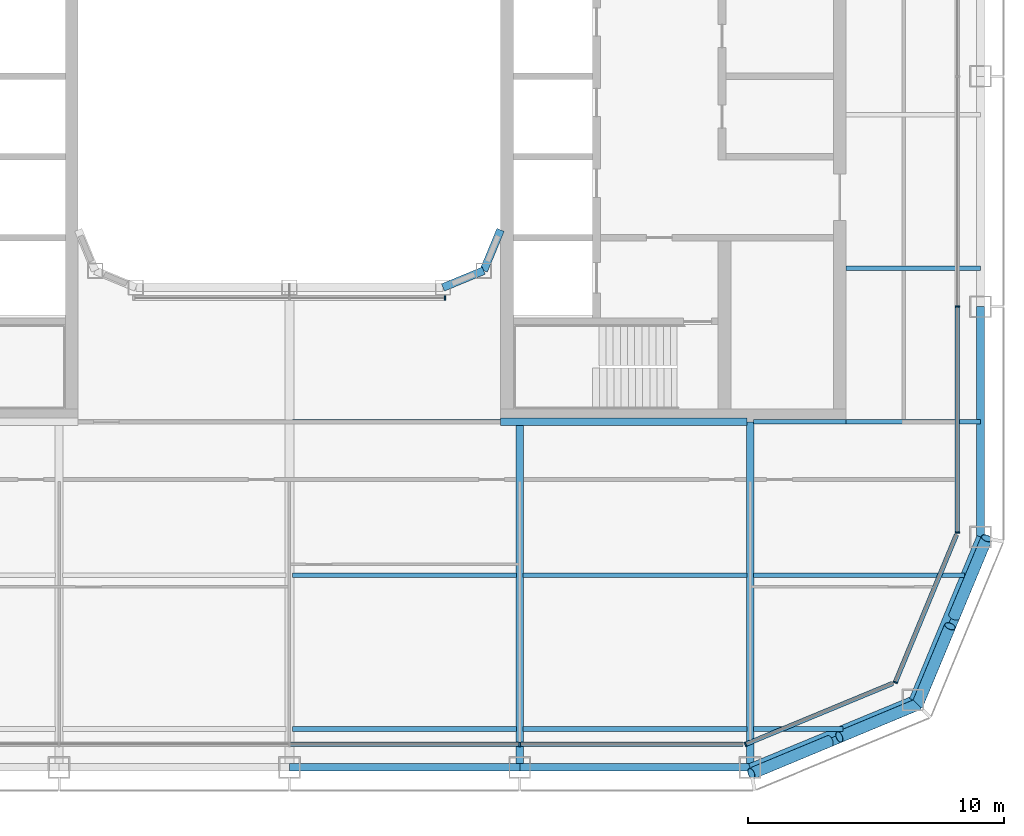
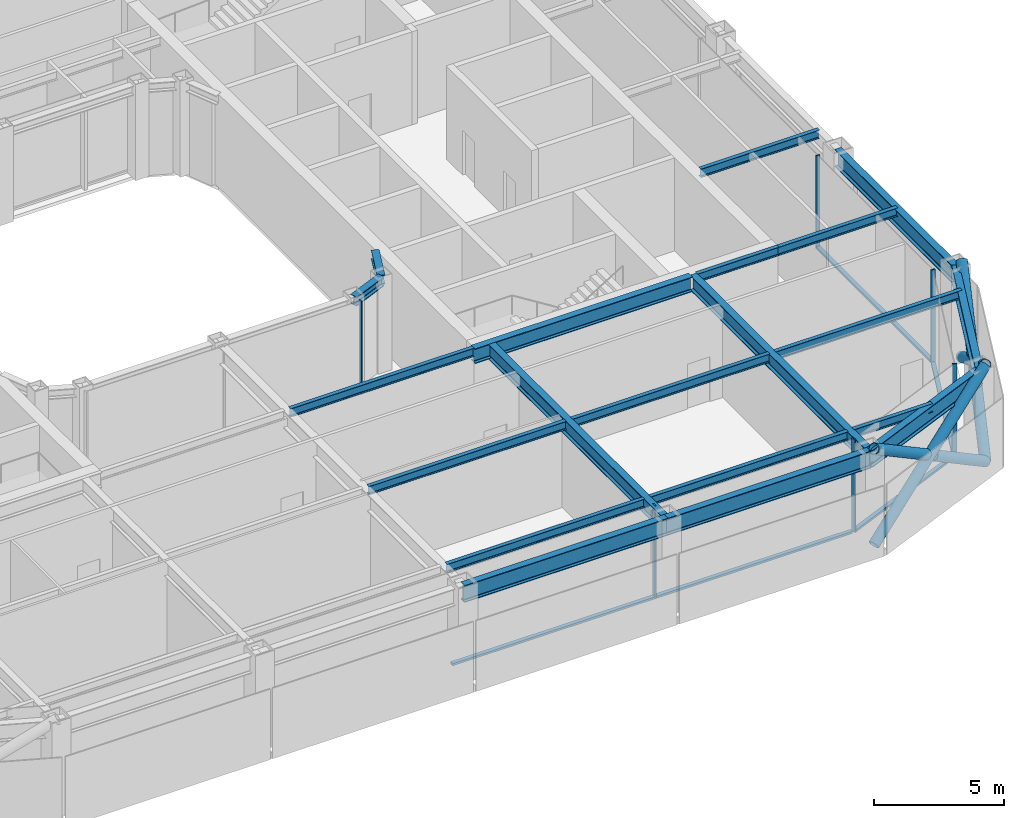
# One storey, part 4 of 19: 20 beams, 17 members, 5 elements without a shape of their own.
"""IFC4 building model written with IfcOpenShell, lengths in metres."""

from ifc_helpers import new_model, si_unit, direction, frame, origin, origin_2d, place, context, subcontext, project, spatial, rectangle, hollow_circle, i_section, extrude, material, layer, layer_set, material_profile, profile_set, type_object, element, aggregate, save


model = new_model("IFC4")

# Units and contexts
model_context = context("Model", 3, precision=1e-05, world=origin(), true_north=direction((0.0, 1.0)))
body_context = subcontext(model_context, "Body", "Model", "MODEL_VIEW")
ifc_project = project(units=[si_unit("LENGTHUNIT", "METRE"), si_unit("AREAUNIT", "SQUARE_METRE"), si_unit("VOLUMEUNIT", "CUBIC_METRE"), si_unit("PLANEANGLEUNIT", "RADIAN"), si_unit("MASSUNIT", "GRAM", prefix="KILO")], contexts=[model_context])

# Site, building, storey
site_placement = place(None, origin())
site = spatial("IfcSite", under=ifc_project, at=site_placement, CompositionType="ELEMENT")
building_placement = place(site_placement, origin())
building = spatial("IfcBuilding", under=site, at=building_placement, Name="Siwar Civic Tower", CompositionType="ELEMENT")
storey_placement = place(building_placement, frame((0.0, 0.0, 228.699951171875)))
storey = spatial("IfcBuildingStorey", under=building, at=storey_placement, Name="L49", CompositionType="ELEMENT", Elevation=228.699951171875)

# Curtain wall, member
ifc_material_1 = material(Name="Aluminium and glass", Category="aluminium")
ifc_layer_1 = layer(ifc_material_1, 0.179931640625)
ifc_layer_set_1 = layer_set([ifc_layer_1], Name="Aluminium and glass")
curtain_wall_type_1 = type_object("IfcCurtainWallType", Name="ENV-CW-C", PredefinedType="NOTDEFINED", material=ifc_layer_set_1)
curtain_wall_1_placement = place(storey_placement, origin())
curtain_wall_1 = element("IfcCurtainWall", 1, at=curtain_wall_1_placement, inside=storey, type_object=curtain_wall_type_1, Name="Curtain wall C S", PredefinedType="NOTDEFINED")
ifc_material_2 = material(Name="Aluminium 6063-T6", Category="aluminium")
ifc_material_profile_1 = material_profile(ifc_material_2, rectangle(XDim=0.179931640625, YDim=0.06005859375, at=origin_2d()), Name="AL 180x60")
ifc_profile_set_1 = profile_set([ifc_material_profile_1], Name="Aluminium 6063-T6")
member_type_1 = type_object("IfcMemberType", Name="ENV-MULLION-C", PredefinedType="MULLION", material=ifc_profile_set_1)
member_1_placement = place(storey_placement, frame((9.0, -26.10009765625, 0.0), z_axis=(0.0, 0.0, 1.0), x_axis=(0.0, 1.0, 0.0)))
member_1 = element("IfcMember", 2, at=member_1_placement, type_object=member_type_1, Name="Mullion C S 4", PredefinedType="MULLION", context=body_context, shape_type="SweptSolid", body=[
    extrude(rectangle(XDim=0.179931640625, YDim=0.06005859375, at=origin_2d()), origin(), (0.0, 0.0, 1.0), 4.35009765625),
])

ifc_material_3 = material(Name="Aluminium clad insulated panel", Category="aluminium")
ifc_layer_2 = layer(ifc_material_3, 0.179931640625)
ifc_layer_set_2 = layer_set([ifc_layer_2], Name="Aluminium clad insulated panel")
curtain_wall_type_2 = type_object("IfcCurtainWallType", Name="ENV-CW-CX", PredefinedType="NOTDEFINED", material=ifc_layer_set_2)
curtain_wall_2_placement = place(storey_placement, origin())
curtain_wall_2 = element("IfcCurtainWall", 3, at=curtain_wall_2_placement, inside=storey, type_object=curtain_wall_type_2, Name="Curtain wall C SE1", PredefinedType="NOTDEFINED")
member_2_placement = place(storey_placement, frame((17.821044921875, -26.10009765625, 0.0), z_axis=(0.0, 0.0, 1.0), x_axis=(-0.382683432365, 0.923879532511, 0.0)))
member_2 = element("IfcMember", 4, at=member_2_placement, type_object=member_type_1, Name="Mullion C SE1 1", PredefinedType="MULLION", context=body_context, shape_type="SweptSolid", body=[
    extrude(rectangle(XDim=0.179931640625, YDim=0.06005859375, at=origin_2d()), origin(), (0.0, 0.0, 1.0), 4.35009765625),
])

curtain_wall_3_placement = place(storey_placement, origin())
curtain_wall_3 = element("IfcCurtainWall", 5, at=curtain_wall_3_placement, inside=storey, type_object=curtain_wall_type_2, Name="Curtain wall C SE2", PredefinedType="NOTDEFINED")
member_3_placement = place(storey_placement, frame((23.675048828125, -23.675048828125, 0.0), z_axis=(0.0, 0.0, 1.0), x_axis=(-0.923879532511, 0.382683432365, 0.0)))
member_3 = element("IfcMember", 6, at=member_3_placement, type_object=member_type_1, Name="Mullion C SE2 1", PredefinedType="MULLION", context=body_context, shape_type="SweptSolid", body=[
    extrude(rectangle(XDim=0.179931640625, YDim=0.06005859375, at=origin_2d()), origin(), (0.0, 0.0, 1.0), 4.35009765625),
])

# Curtain wall, members
curtain_wall_4_placement = place(storey_placement, origin())
curtain_wall_4 = element("IfcCurtainWall", 7, at=curtain_wall_4_placement, inside=storey, type_object=curtain_wall_type_1, Name="Curtain wall C E", PredefinedType="NOTDEFINED")
member_4_placement = place(storey_placement, frame((26.10009765625, -17.821044921875, 0.0), z_axis=(0.0, 0.0, 1.0), x_axis=(-1.0, 0.0, 0.0)))
member_4 = element("IfcMember", 8, at=member_4_placement, type_object=member_type_1, Name="Mullion C E 1", PredefinedType="MULLION", context=body_context, shape_type="SweptSolid", body=[
    extrude(rectangle(XDim=0.179931640625, YDim=0.06005859375, at=origin_2d()), origin(), (0.0, 0.0, 1.0), 4.35009765625),
])
member_5_placement = place(storey_placement, frame((26.10009765625, -9.0, 0.0), z_axis=(0.0, 0.0, 1.0), x_axis=(-1.0, 0.0, 0.0)))
member_5 = element("IfcMember", 9, at=member_5_placement, type_object=member_type_1, Name="Mullion C E 2", PredefinedType="MULLION", context=body_context, shape_type="SweptSolid", body=[
    extrude(rectangle(XDim=0.179931640625, YDim=0.06005859375, at=origin_2d()), origin(), (0.0, 0.0, 1.0), 4.35009765625),
])

# Curtain wall, member
ifc_material_4 = material(Name="Aluminium and glass", Category="aluminium")
ifc_layer_3 = layer(ifc_material_4, 0.179931640625)
ifc_layer_set_3 = layer_set([ifc_layer_3], Name="Aluminium and glass")
curtain_wall_type_3 = type_object("IfcCurtainWallType", Name="ENV-CW-W", PredefinedType="NOTDEFINED", material=ifc_layer_set_3)
curtain_wall_5_placement = place(storey_placement, origin())
curtain_wall_5 = element("IfcCurtainWall", 10, at=curtain_wall_5_placement, inside=storey, type_object=curtain_wall_type_3, Name="Curtain wall W WS", PredefinedType="NOTDEFINED")
ifc_material_5 = material(Name="Aluminium 6063-T6", Category="aluminium")
ifc_material_profile_2 = material_profile(ifc_material_5, rectangle(XDim=0.179931640625, YDim=0.06005859375, at=origin_2d()), Name="AL 180x60")
ifc_profile_set_2 = profile_set([ifc_material_profile_2], Name="Aluminium 6063-T6")
member_type_2 = type_object("IfcMemberType", Name="ENV-MULLION-W", PredefinedType="MULLION", material=ifc_profile_set_2)
member_6_placement = place(storey_placement, frame((6.08154296875, -8.659912109375, 0.0), z_axis=(0.0, 0.0, 1.0), x_axis=(0.0, 1.0, 0.0)))
member_6 = element("IfcMember", 11, at=member_6_placement, type_object=member_type_2, Name="Mullion W WS 3", PredefinedType="MULLION", context=body_context, shape_type="SweptSolid", body=[
    extrude(rectangle(XDim=0.179931640625, YDim=0.06005859375, at=origin_2d()), origin(), (0.0, 0.0, 1.0), 4.35009765625),
])
aggregate(curtain_wall_5, [member_6])

# Member
ifc_material_6 = material(Name="Aluminium 6063-T6", Category="aluminium")
ifc_material_profile_3 = material_profile(ifc_material_6, rectangle(XDim=0.179931640625, YDim=0.10009765625, at=origin_2d()), Name="AL 180x100")
ifc_profile_set_3 = profile_set([ifc_material_profile_3], Name="Aluminium 6063-T6")
member_type_3 = type_object("IfcMemberType", Name="ENV-TRANSOM-C", PredefinedType="USERDEFINED", material=ifc_profile_set_3)
member_7_placement = place(storey_placement, frame((0.030029296875, -26.10009765625, 0.050048828125), z_axis=(1.0, 0.0, 0.0), x_axis=(0.0, 1.0, 0.0)))
member_7 = element("IfcMember", 12, at=member_7_placement, type_object=member_type_3, Name="Transom C S 3", ObjectType="TRANSOM", PredefinedType="USERDEFINED", context=body_context, shape_type="SweptSolid", body=[
    extrude(rectangle(XDim=0.179931640625, YDim=0.10009765625, at=origin_2d()), origin(), (0.0, 0.0, 1.0), 8.93994140625),
])

member_8_placement = place(storey_placement, frame((9.030029296875, -26.10009765625, 0.050048828125), z_axis=(1.0, 0.0, 0.0), x_axis=(0.0, 1.0, 0.0)))
member_8 = element("IfcMember", 13, at=member_8_placement, type_object=member_type_3, Name="Transom C S 4", ObjectType="TRANSOM", PredefinedType="USERDEFINED", context=body_context, shape_type="SweptSolid", body=[
    extrude(rectangle(XDim=0.179931640625, YDim=0.10009765625, at=origin_2d()), origin(), (0.0, 0.0, 1.0), 8.68603515625),
])

aggregate(curtain_wall_1, [member_1, member_7, member_8])

member_9_placement = place(storey_placement, frame((17.8486328125, -26.088623046875, 0.050048828125), z_axis=(0.923882011223, 0.38267744817, 0.0), x_axis=(-0.38267744817, 0.923882011223, 0.0)))
member_9 = element("IfcMember", 14, at=member_9_placement, type_object=member_type_3, Name="Transom C SE1 1", ObjectType="TRANSOM", PredefinedType="USERDEFINED", context=body_context, shape_type="SweptSolid", body=[
    extrude(rectangle(XDim=0.179931640625, YDim=0.10009765625, at=origin_2d()), origin(), (0.0, 0.0, 1.0), 6.201904296875),
])

aggregate(curtain_wall_2, [member_2, member_9])

member_10_placement = place(storey_placement, frame((23.6865234375, -23.6474609375, 0.050048828125), z_axis=(0.382691366456, 0.923876246063, 0.0), x_axis=(-0.923876246063, 0.382691366456, 0.0)))
member_10 = element("IfcMember", 15, at=member_10_placement, type_object=member_type_3, Name="Transom C SE2 1", ObjectType="TRANSOM", PredefinedType="USERDEFINED", context=body_context, shape_type="SweptSolid", body=[
    extrude(rectangle(XDim=0.179931640625, YDim=0.10009765625, at=origin_2d()), origin(), (0.0, 0.0, 1.0), 6.20166015625),
])

aggregate(curtain_wall_3, [member_3, member_10])

member_11_placement = place(storey_placement, frame((26.10009765625, -17.791015625, 0.050048828125), z_axis=(0.0, 1.0, 0.0), x_axis=(-1.0, 0.0, 0.0)))
member_11 = element("IfcMember", 16, at=member_11_placement, type_object=member_type_3, Name="Transom C E 1", ObjectType="TRANSOM", PredefinedType="USERDEFINED", context=body_context, shape_type="SweptSolid", body=[
    extrude(rectangle(XDim=0.179931640625, YDim=0.10009765625, at=origin_2d()), origin(), (0.0, 0.0, 1.0), 8.760986328125),
])

aggregate(curtain_wall_4, [member_4, member_5, member_11])

# Members
ifc_material_7 = material(Name="Steel S355", Category="steel")
ifc_material_profile_4 = material_profile(ifc_material_7, hollow_circle(Radius=0.228515625, WallThickness=0.02001953125, at=origin_2d()), Name="CHS457x20")
ifc_profile_set_4 = profile_set([ifc_material_profile_4], Name="Steel S355")
member_type_4 = type_object("IfcMemberType", Name="STR-BR-CHS457x20", PredefinedType="BRACE", material=ifc_profile_set_4)
member_12_placement = place(storey_placement, frame((27.2451171875, -18.048828125, 0.0), z_axis=(-0.323905527954, -0.777554562952, 0.538975055633), x_axis=(0.923108759191, -0.384538969033, 0.0)))
element("IfcMember", 17, at=member_12_placement, inside=storey, type_object=member_type_4, Name="L49/brc/CSE1-9-0-1", PredefinedType="BRACE", context=body_context, shape_type="SweptSolid", body=[
    extrude(hollow_circle(Radius=0.228515625, WallThickness=0.02001953125, at=origin_2d()), origin(), (0.0, 0.0, 1.0), 8.34912109375),
])
for number, where, z_axis, x_axis, name in (
    (18, (24.540771484375, -24.540771484375, 0.0), (0.323884455881, 0.777546448489, 0.538999424564), (-0.92311621485, 0.38452107079, 0.0), "L49/brc/CSE1-9-0-2"),
    (19, (25.972900390625, -21.10302734375, 2.383056640625), (0.323895306243, 0.777572496853, 0.538955325357), (-0.92311621485, 0.38452107079, 0.0), "L49/brc/CSE1-9-0-3"),
):
    element("IfcMember", number, at=place(storey_placement, frame(where, z_axis=z_axis, x_axis=x_axis)), inside=storey, type_object=member_type_4, Name=name, PredefinedType="BRACE", context=body_context, shape_type="SweptSolid", body=[
        extrude(hollow_circle(Radius=0.228515625, WallThickness=0.02001953125, at=origin_2d()), origin(), (0.0, 0.0, 1.0), 3.927978515625),
    ])
member_13_placement = place(storey_placement, frame((18.048828125, -27.2451171875, 0.0), z_axis=(0.777554562952, 0.323905527954, 0.538975055633), x_axis=(-0.384538969033, 0.923108759191, 0.0)))
element("IfcMember", 20, at=member_13_placement, inside=storey, type_object=member_type_4, Name="L49/brc/CSE1-9-0-0", PredefinedType="BRACE", context=body_context, shape_type="SweptSolid", body=[
    extrude(hollow_circle(Radius=0.228515625, WallThickness=0.02001953125, at=origin_2d()), origin(), (0.0, 0.0, 1.0), 8.34912109375),
])
for number, where, z_axis, x_axis, name in (
    (21, (24.540771484375, -24.540771484375, 0.0), (-0.777546448489, -0.323884455881, 0.538999424564), (0.38452107079, -0.92311621485, 0.0), "L49/brc/CSE1-9-0-4"),
    (22, (21.10302734375, -25.972900390625, 2.383056640625), (-0.777572496853, -0.323895306243, 0.538955325357), (0.38452107079, -0.92311621485, 0.0), "L49/brc/CSE1-9-0-5"),
):
    element("IfcMember", number, at=place(storey_placement, frame(where, z_axis=z_axis, x_axis=x_axis)), inside=storey, type_object=member_type_4, Name=name, PredefinedType="BRACE", context=body_context, shape_type="SweptSolid", body=[
        extrude(hollow_circle(Radius=0.228515625, WallThickness=0.02001953125, at=origin_2d()), origin(), (0.0, 0.0, 1.0), 3.927978515625),
    ])

# Beams
ifc_material_8 = material(Name="Steel S355", Category="steel")
ifc_material_profile_5 = material_profile(ifc_material_8, i_section(OverallWidth=0.179931640625, OverallDepth=0.39990234375, WebThickness=0.008544921875, FlangeThickness=0.013427734375, FilletRadius=0.02099609375, at=origin_2d()), Name="IPE400")
ifc_profile_set_5 = profile_set([ifc_material_profile_5], Name="Steel S355")
beam_type_1 = type_object("IfcBeamType", Name="STR-FB-IPE400", PredefinedType="JOIST", material=ifc_profile_set_5)
for number, where, z_axis, x_axis, name in (
    (23, (0.1298828125, -25.5, 4.150146484375), (1.0, 0.0, 0.0), (0.0, 1.0, 0.0), "L49/bm/F004"),
    (24, (9.1298828125, -25.5, 4.150146484375), (1.0, 0.0, 0.0), (0.0, 1.0, 0.0), "L49/bm/F005"),
):
    element("IfcBeam", number, at=place(storey_placement, frame(where, z_axis=z_axis, x_axis=x_axis)), inside=storey, type_object=beam_type_1, Name=name, PredefinedType="JOIST", context=body_context, shape_type="SweptSolid", body=[
        extrude(i_section(OverallWidth=0.179931640625, OverallDepth=0.39990234375, WebThickness=0.008544921875, FlangeThickness=0.013427734375, FilletRadius=0.02099609375, at=origin_2d()), origin(), (0.0, 0.0, 1.0), 8.740234375),
    ])
beam_1_placement = place(storey_placement, frame((18.1298828125, -25.5, 4.150146484375), z_axis=(1.0, 0.0, 0.0), x_axis=(0.0, 1.0, 0.0)))
element("IfcBeam", 25, at=beam_1_placement, inside=storey, type_object=beam_type_1, Name="L49/bm/F006", PredefinedType="JOIST", context=body_context, shape_type="SweptSolid", body=[
    extrude(i_section(OverallWidth=0.179931640625, OverallDepth=0.39990234375, WebThickness=0.008544921875, FlangeThickness=0.013427734375, FilletRadius=0.02099609375, at=origin_2d()), origin(), (0.0, 0.0, 1.0), 3.491455078125),
])
for number, where, z_axis, x_axis, name in (
    (26, (0.1298828125, -19.5, 4.150146484375), (1.0, 0.0, 0.0), (0.0, 1.0, 0.0), "L49/bm/F010"),
    (27, (9.1298828125, -19.5, 4.150146484375), (1.0, 0.0, 0.0), (0.0, 1.0, 0.0), "L49/bm/F011"),
):
    element("IfcBeam", number, at=place(storey_placement, frame(where, z_axis=z_axis, x_axis=x_axis)), inside=storey, type_object=beam_type_1, Name=name, PredefinedType="JOIST", context=body_context, shape_type="SweptSolid", body=[
        extrude(i_section(OverallWidth=0.179931640625, OverallDepth=0.39990234375, WebThickness=0.008544921875, FlangeThickness=0.013427734375, FilletRadius=0.02099609375, at=origin_2d()), origin(), (0.0, 0.0, 1.0), 8.740234375),
    ])
beam_2_placement = place(storey_placement, frame((18.1298828125, -19.5, 4.150146484375), z_axis=(1.0, 0.0, 0.0), x_axis=(0.0, 1.0, 0.0)))
element("IfcBeam", 28, at=beam_2_placement, inside=storey, type_object=beam_type_1, Name="L49/bm/F012", PredefinedType="JOIST", context=body_context, shape_type="SweptSolid", body=[
    extrude(i_section(OverallWidth=0.179931640625, OverallDepth=0.39990234375, WebThickness=0.008544921875, FlangeThickness=0.013427734375, FilletRadius=0.02099609375, at=origin_2d()), origin(), (0.0, 0.0, 1.0), 8.248779296875),
])
beam_3_placement = place(storey_placement, frame((0.1298828125, -13.5, 4.150146484375), z_axis=(1.0, 0.0, 0.0), x_axis=(0.0, 1.0, 0.0)))
element("IfcBeam", 29, at=beam_3_placement, inside=storey, type_object=beam_type_1, Name="L49/bm/F017", PredefinedType="JOIST", context=body_context, shape_type="SweptSolid", body=[
    extrude(i_section(OverallWidth=0.179931640625, OverallDepth=0.39990234375, WebThickness=0.008544921875, FlangeThickness=0.013427734375, FilletRadius=0.02099609375, at=origin_2d()), origin(), (0.0, 0.0, 1.0), 8.1201171875),
])
beam_4_placement = place(storey_placement, frame((18.1298828125, -13.5, 4.150146484375), z_axis=(1.0, 0.0, 0.0), x_axis=(0.0, 1.0, 0.0)))
element("IfcBeam", 30, at=beam_4_placement, inside=storey, type_object=beam_type_1, Name="L49/bm/F019", PredefinedType="JOIST", context=body_context, shape_type="SweptSolid", body=[
    extrude(i_section(OverallWidth=0.179931640625, OverallDepth=0.39990234375, WebThickness=0.008544921875, FlangeThickness=0.013427734375, FilletRadius=0.02099609375, at=origin_2d()), origin(), (0.0, 0.0, 1.0), 3.6201171875),
])
for number, where, z_axis, x_axis, name in (
    (31, (21.75, -13.5, 4.150146484375), (1.0, 0.0, 0.0), (0.0, 1.0, 0.0), "L49/bm/F020"),
    (32, (21.75, -7.5, 4.150146484375), (1.0, 0.0, 0.0), (0.0, 1.0, 0.0), "L49/bm/F022"),
):
    element("IfcBeam", number, at=place(storey_placement, frame(where, z_axis=z_axis, x_axis=x_axis)), inside=storey, type_object=beam_type_1, Name=name, PredefinedType="JOIST", context=body_context, shape_type="SweptSolid", body=[
        extrude(i_section(OverallWidth=0.179931640625, OverallDepth=0.39990234375, WebThickness=0.008544921875, FlangeThickness=0.013427734375, FilletRadius=0.02099609375, at=origin_2d()), origin(), (0.0, 0.0, 1.0), 5.25),
    ])
ifc_material_9 = material(Name="Steel S355", Category="steel")
ifc_material_profile_6 = material_profile(ifc_material_9, i_section(OverallWidth=0.300048828125, OverallDepth=0.699951171875, WebThickness=0.01708984375, FlangeThickness=0.031982421875, FilletRadius=0.027099609375, at=origin_2d()), Name="HEB700")
ifc_profile_set_6 = profile_set([ifc_material_profile_6], Name="Steel S355")
beam_type_2 = type_object("IfcBeamType", Name="STR-PG-HEB700", PredefinedType="BEAM", material=ifc_profile_set_6)
for number, where, z_axis, x_axis, name in (
    (33, (9.0, -27.0, 4.0), (0.0, 1.0, 0.0), (-1.0, 0.0, 0.0), "L49/bm/G07"),
    (34, (18.0, -27.0, 4.0), (0.0, 1.0, 0.0), (-1.0, 0.0, 0.0), "L49/bm/G09"),
):
    element("IfcBeam", number, at=place(storey_placement, frame(where, z_axis=z_axis, x_axis=x_axis)), inside=storey, type_object=beam_type_2, Name=name, PredefinedType="BEAM", context=body_context, shape_type="SweptSolid", body=[
        extrude(i_section(OverallWidth=0.300048828125, OverallDepth=0.699951171875, WebThickness=0.01708984375, FlangeThickness=0.031982421875, FilletRadius=0.027099609375, at=origin_2d()), origin(), (0.0, 0.0, 1.0), 13.5),
    ])
beam_5_placement = place(storey_placement, frame((8.25, -13.5, 4.0), z_axis=(1.0, 0.0, 0.0), x_axis=(0.0, 1.0, 0.0)))
element("IfcBeam", 35, at=beam_5_placement, inside=storey, type_object=beam_type_2, Name="L49/bm/F018", PredefinedType="BEAM", context=body_context, shape_type="SweptSolid", body=[
    extrude(i_section(OverallWidth=0.300048828125, OverallDepth=0.699951171875, WebThickness=0.01708984375, FlangeThickness=0.031982421875, FilletRadius=0.027099609375, at=origin_2d()), origin(), (0.0, 0.0, 1.0), 9.6201171875),
])
ifc_material_10 = material(Name="Steel S355", Category="steel")
ifc_material_profile_7 = material_profile(ifc_material_10, i_section(OverallWidth=0.306884765625, OverallDepth=0.431884765625, WebThickness=0.02099609375, FlangeThickness=0.0400390625, FilletRadius=0.027099609375, at=origin_2d()), Name="HEM400")
ifc_profile_set_7 = profile_set([ifc_material_profile_7], Name="Steel S355")
beam_type_3 = type_object("IfcBeamType", Name="STR-RB-HEM400", PredefinedType="BEAM", material=ifc_profile_set_7)
for number, where, z_axis, x_axis, name in (
    (36, (6.0, -8.25, 4.134033203125), (0.923901072997, 0.382631424892, 0.0), (-0.382631424892, 0.923901072997, 0.0), "L49/bm/RS3"),
    (37, (7.591064453125, -7.591064453125, 4.134033203125), (0.382631424892, 0.923901072997, 0.0), (-0.923901072997, 0.382631424892, 0.0), "L49/bm/RSEE"),
):
    element("IfcBeam", number, at=place(storey_placement, frame(where, z_axis=z_axis, x_axis=x_axis)), inside=storey, type_object=beam_type_3, Name=name, PredefinedType="BEAM", context=body_context, shape_type="SweptSolid", body=[
        extrude(i_section(OverallWidth=0.306884765625, OverallDepth=0.431884765625, WebThickness=0.02099609375, FlangeThickness=0.0400390625, FilletRadius=0.027099609375, at=origin_2d()), origin(), (0.0, 0.0, 1.0), 1.72216796875),
    ])
ifc_material_11 = material(Name="Steel S355", Category="steel")
ifc_material_profile_8 = material_profile(ifc_material_11, i_section(OverallWidth=0.300048828125, OverallDepth=0.800048828125, WebThickness=0.017578125, FlangeThickness=0.032958984375, FilletRadius=0.030029296875, at=origin_2d()), Name="HEB800")
ifc_profile_set_8 = profile_set([ifc_material_profile_8], Name="Steel S355")
beam_type_4 = type_object("IfcBeamType", Name="STR-SB-HEB800", PredefinedType="BEAM", material=ifc_profile_set_8)
for number, where, z_axis, x_axis, name in (
    (38, (0.0, -27.0, 3.949951171875), (1.0, 0.0, 0.0), (0.0, 1.0, 0.0), "L49/bm/SS-2"),
    (39, (9.0, -27.0, 3.949951171875), (1.0, 0.0, 0.0), (0.0, 1.0, 0.0), "L49/bm/SS-3"),
):
    element("IfcBeam", number, at=place(storey_placement, frame(where, z_axis=z_axis, x_axis=x_axis)), inside=storey, type_object=beam_type_4, Name=name, PredefinedType="BEAM", context=body_context, shape_type="SweptSolid", body=[
        extrude(i_section(OverallWidth=0.300048828125, OverallDepth=0.800048828125, WebThickness=0.017578125, FlangeThickness=0.032958984375, FilletRadius=0.030029296875, at=origin_2d()), origin(), (0.0, 0.0, 1.0), 9.0),
    ])
for number, where, z_axis, x_axis, name in (
    (40, (18.0, -27.0, 3.949951171875), (0.923883353507, 0.382674207535, 0.0), (-0.382674207535, 0.923883353507, 0.0), "L49/bm/SSE1-0"),
    (41, (24.364013671875, -24.364013671875, 3.949951171875), (0.382674207535, 0.923883353507, 0.0), (-0.923883353507, 0.382674207535, 0.0), "L49/bm/SSE2-0"),
):
    element("IfcBeam", number, at=place(storey_placement, frame(where, z_axis=z_axis, x_axis=x_axis)), inside=storey, type_object=beam_type_4, Name=name, PredefinedType="BEAM", context=body_context, shape_type="SweptSolid", body=[
        extrude(i_section(OverallWidth=0.300048828125, OverallDepth=0.800048828125, WebThickness=0.017578125, FlangeThickness=0.032958984375, FilletRadius=0.030029296875, at=origin_2d()), origin(), (0.0, 0.0, 1.0), 6.888427734375),
    ])
beam_6_placement = place(storey_placement, frame((27.0, -18.0, 3.949951171875), z_axis=(0.0, 1.0, 0.0), x_axis=(-1.0, 0.0, 0.0)))
element("IfcBeam", 42, at=beam_6_placement, inside=storey, type_object=beam_type_4, Name="L49/bm/SE-0", PredefinedType="BEAM", context=body_context, shape_type="SweptSolid", body=[
    extrude(i_section(OverallWidth=0.300048828125, OverallDepth=0.800048828125, WebThickness=0.017578125, FlangeThickness=0.032958984375, FilletRadius=0.030029296875, at=origin_2d()), origin(), (0.0, 0.0, 1.0), 9.0),
])

save(model, "model.ifc")
